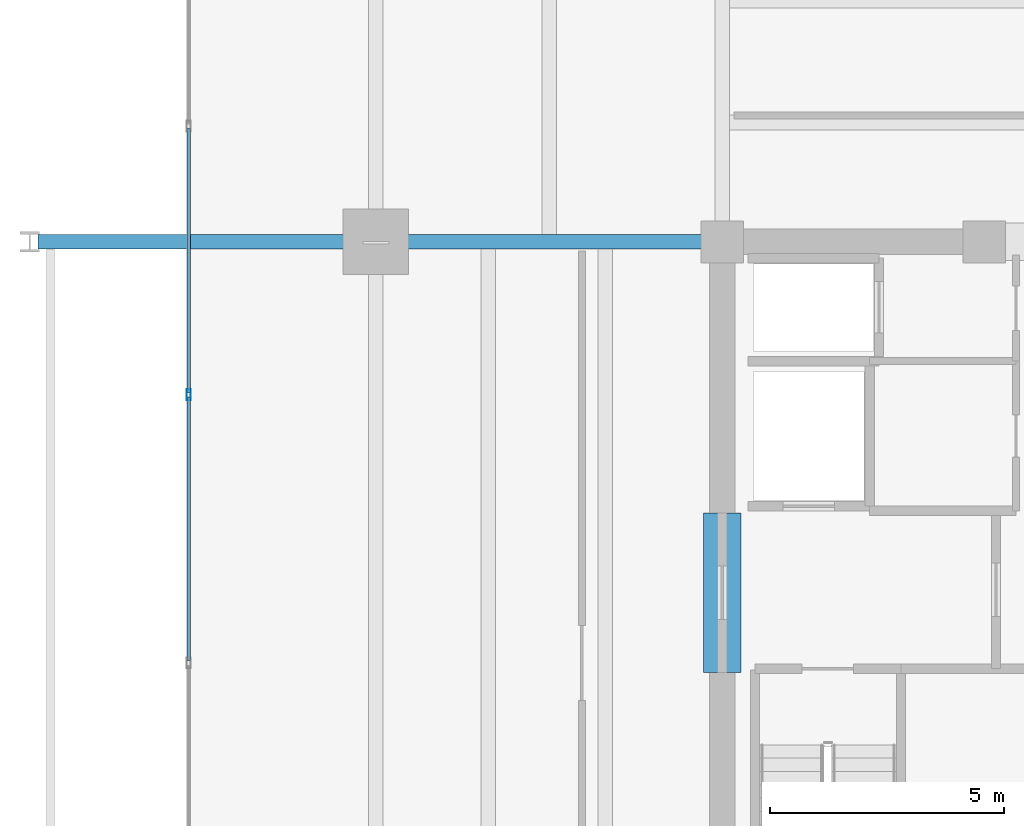
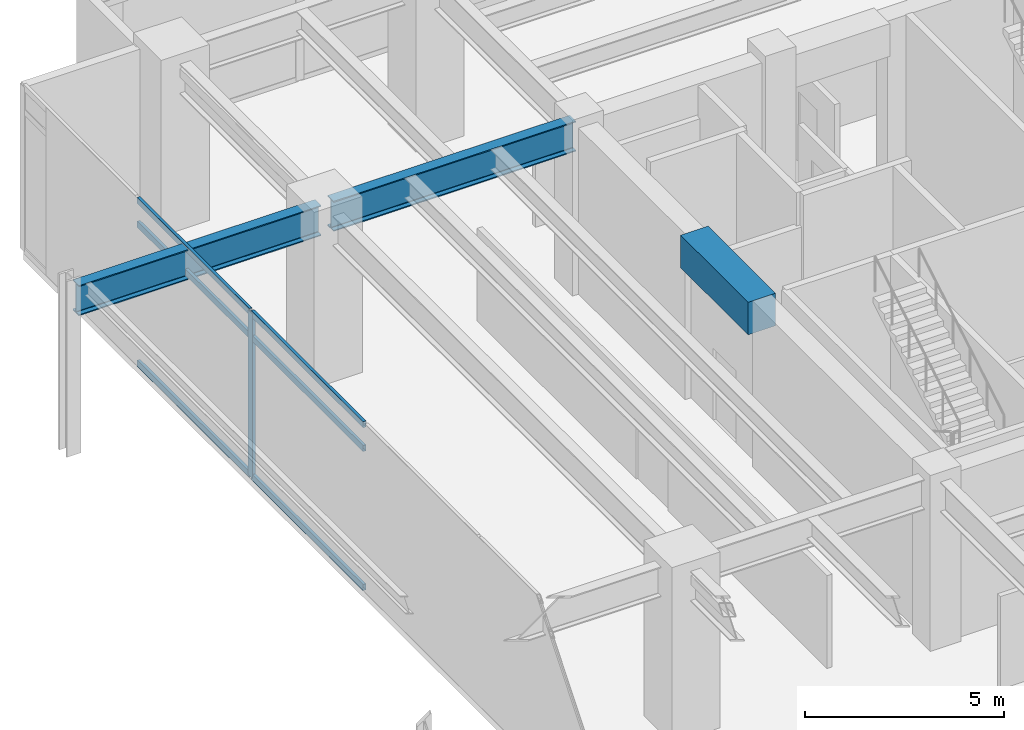
# One storey, part 7 of 24: 7 members, 3 beams, 1 element without a shape of its own.
"""IFC4 building model written with IfcOpenShell, lengths in metres."""

from ifc_helpers import new_model, si_unit, direction, frame, origin, origin_2d, place, context, subcontext, project, spatial, rectangle, hollow_rectangle, i_section, extrude, material, material_profile, profile_set, type_object, element, aggregate, save


model = new_model("IFC4")

# Units and contexts
model_context = context("Model", 3, precision=1e-05, world=origin(), true_north=direction((0.0, 1.0)))
body_context = subcontext(model_context, "Body", "Model", "MODEL_VIEW")
ifc_project = project(units=[si_unit("LENGTHUNIT", "METRE"), si_unit("AREAUNIT", "SQUARE_METRE"), si_unit("VOLUMEUNIT", "CUBIC_METRE"), si_unit("PLANEANGLEUNIT", "RADIAN"), si_unit("MASSUNIT", "GRAM", prefix="KILO")], contexts=[model_context])

# Site, building, storey
site_placement = place(None, origin())
site = spatial("IfcSite", under=ifc_project, at=site_placement, CompositionType="ELEMENT")
building_placement = place(site_placement, origin())
building = spatial("IfcBuilding", under=site, at=building_placement, Name="Kovane Verandah Tower", CompositionType="ELEMENT")
storey_placement = place(building_placement, frame((0.0, 0.0, 194.800048828125)))
storey = spatial("IfcBuildingStorey", under=building, at=storey_placement, Name="L45", CompositionType="ELEMENT", Elevation=194.800048828125)

# Beams
ifc_material_1 = material(Name="Concrete C60/75", Category="concrete")
ifc_material_profile_1 = material_profile(ifc_material_1, rectangle(XDim=0.800048828125, YDim=1.0, at=origin_2d()), Name="RCB800x1000")
ifc_profile_set_1 = profile_set([ifc_material_profile_1], Name="Concrete C60/75")
beam_type_1 = type_object("IfcBeamType", Name="BM-LINTEL-800x1000", PredefinedType="LINTEL", material=ifc_profile_set_1)
beam_placement = place(storey_placement, frame((29.0, 27.300048828125, 4.599853515625), z_axis=(0.0, 1.0, 0.0), x_axis=(-1.0, 0.0, 0.0)))
element("IfcBeam", 1, at=beam_placement, inside=storey, type_object=beam_type_1, Name="L45 Core Coupling Lintel CL-W", PredefinedType="LINTEL", context=body_context, shape_type="SweptSolid", body=[
    extrude(rectangle(XDim=0.800048828125, YDim=1.0, at=origin_2d()), origin(), (0.0, 0.0, 1.0), 3.39990234375),
])
ifc_material_2 = material(Name="Steel S460", Category="steel")
ifc_material_profile_2 = material_profile(ifc_material_2, i_section(OverallWidth=0.3076171875, OverallDepth=0.926513671875, WebThickness=0.01953125, FlangeThickness=0.031982421875, FilletRadius=0.01904296875, at=origin_2d()), Name="UB914x305x289")
ifc_profile_set_2 = profile_set([ifc_material_profile_2], Name="Steel S460")
beam_type_2 = type_object("IfcBeamType", Name="BM-UB914x289", PredefinedType="BEAM", material=ifc_profile_set_2)
for number, where, z_axis, x_axis, name in (
    (2, (28.820068359375, 36.5, 4.63671875), (-1.0, 0.0, 0.0), (0.0, -1.0, 0.0), "L45 Primary Tower Girder G-W2"),
    (3, (21.419921875, 36.5, 4.63671875), (-1.0, 0.0, 0.0), (0.0, -1.0, 0.0), "L45 Primary Tower Girder G-VW2"),
):
    element("IfcBeam", number, at=place(storey_placement, frame(where, z_axis=z_axis, x_axis=x_axis)), inside=storey, type_object=beam_type_2, Name=name, PredefinedType="BEAM", context=body_context, shape_type="SweptSolid", body=[
        extrude(i_section(OverallWidth=0.3076171875, OverallDepth=0.926513671875, WebThickness=0.01953125, FlangeThickness=0.031982421875, FilletRadius=0.01904296875, at=origin_2d()), origin(), (0.0, 0.0, 1.0), 7.0400390625),
    ])

# Curtain wall, members
ifc_material_3 = material(Name="Champagne Anodised Aluminium Frame with Low-E Clear Laminated Glass", Category="aluminium")
curtain_wall_type = type_object("IfcCurtainWallType", Name="CW-SYS-04-WAIST", PredefinedType="NOTDEFINED", material=ifc_material_3)
curtain_wall_placement = place(storey_placement, origin())
curtain_wall = element("IfcCurtainWall", 4, at=curtain_wall_placement, inside=storey, type_object=curtain_wall_type, Name="L45 W Unitised Curtain Wall", PredefinedType="NOTDEFINED")
ifc_material_4 = material(Name="Champagne Anodised Aluminium 6063-T6", Category="aluminium")
ifc_material_profile_3 = material_profile(ifc_material_4, hollow_rectangle(XDim=0.0849609375, YDim=0.22998046875, WallThickness=0.00390625, at=origin_2d()), Name="AL85x230x4")
ifc_profile_set_3 = profile_set([ifc_material_profile_3], Name="Champagne Anodised Aluminium 6063-T6")
member_type_1 = type_object("IfcMemberType", Name="CW-MUL-85x230", PredefinedType="MULLION", material=ifc_profile_set_3)
member_1_placement = place(storey_placement, frame((17.60009765625, 33.2333984375, 0.02001953125), z_axis=(0.0, 0.0, 1.0), x_axis=(-1.0, 0.0, 0.0)))
member_1 = element("IfcMember", 5, at=member_1_placement, type_object=member_type_1, Name="L45 W Unitised Curtain Wall Mullion 3", PredefinedType="MULLION", context=body_context, shape_type="SweptSolid", body=[
    extrude(hollow_rectangle(XDim=0.0849609375, YDim=0.22998046875, WallThickness=0.00390625, at=origin_2d()), origin(), (0.0, 0.0, 1.0), 5.059814453125),
])
ifc_material_profile_4 = material_profile(ifc_material_4, hollow_rectangle(XDim=0.0849609375, YDim=0.18994140625, WallThickness=0.00390625, at=origin_2d()), Name="AL85x190x4")
ifc_profile_set_4 = profile_set([ifc_material_profile_4], Name="Champagne Anodised Aluminium 6063-T6")
member_type_2 = type_object("IfcMemberType", Name="CW-TRN-85x190", PredefinedType="USERDEFINED", material=ifc_profile_set_4)
member_2_placement = place(storey_placement, frame((17.60009765625, 38.916748046875, 0.050048828125), z_axis=(0.0, -1.0, 0.0), x_axis=(1.0, 0.0, 0.0)))
member_2 = element("IfcMember", 6, at=member_2_placement, type_object=member_type_2, Name="L45 W Unitised Curtain Wall Transom TB Bay 2", ObjectType="TRANSOM", PredefinedType="USERDEFINED", context=body_context, shape_type="SweptSolid", body=[
    extrude(hollow_rectangle(XDim=0.0849609375, YDim=0.18994140625, WallThickness=0.00390625, at=origin_2d()), origin(), (0.0, 0.0, 1.0), 5.633544921875),
])
member_3_placement = place(storey_placement, frame((17.60009765625, 38.916748046875, 4.320068359375), z_axis=(0.0, -1.0, 0.0), x_axis=(1.0, 0.0, 0.0)))
member_3 = element("IfcMember", 7, at=member_3_placement, type_object=member_type_2, Name="L45 W Unitised Curtain Wall Transom TM Bay 2", ObjectType="TRANSOM", PredefinedType="USERDEFINED", context=body_context, shape_type="SweptSolid", body=[
    extrude(hollow_rectangle(XDim=0.0849609375, YDim=0.18994140625, WallThickness=0.00390625, at=origin_2d()), origin(), (0.0, 0.0, 1.0), 5.633544921875),
])
member_4_placement = place(storey_placement, frame((17.60009765625, 38.916748046875, 5.050048828125), z_axis=(0.0, -1.0, 0.0), x_axis=(1.0, 0.0, 0.0)))
member_4 = element("IfcMember", 8, at=member_4_placement, type_object=member_type_2, Name="L45 W Unitised Curtain Wall Transom TT Bay 2", ObjectType="TRANSOM", PredefinedType="USERDEFINED", context=body_context, shape_type="SweptSolid", body=[
    extrude(hollow_rectangle(XDim=0.0849609375, YDim=0.18994140625, WallThickness=0.00390625, at=origin_2d()), origin(), (0.0, 0.0, 1.0), 5.633544921875),
])
member_5_placement = place(storey_placement, frame((17.60009765625, 33.183349609375, 0.050048828125), z_axis=(0.0, -1.0, 0.0), x_axis=(1.0, 0.0, 0.0)))
member_5 = element("IfcMember", 9, at=member_5_placement, type_object=member_type_2, Name="L45 W Unitised Curtain Wall Transom TB Bay 3", ObjectType="TRANSOM", PredefinedType="USERDEFINED", context=body_context, shape_type="SweptSolid", body=[
    extrude(hollow_rectangle(XDim=0.0849609375, YDim=0.18994140625, WallThickness=0.00390625, at=origin_2d()), origin(), (0.0, 0.0, 1.0), 5.63330078125),
])
member_6_placement = place(storey_placement, frame((17.60009765625, 33.183349609375, 4.320068359375), z_axis=(0.0, -1.0, 0.0), x_axis=(1.0, 0.0, 0.0)))
member_6 = element("IfcMember", 10, at=member_6_placement, type_object=member_type_2, Name="L45 W Unitised Curtain Wall Transom TM Bay 3", ObjectType="TRANSOM", PredefinedType="USERDEFINED", context=body_context, shape_type="SweptSolid", body=[
    extrude(hollow_rectangle(XDim=0.0849609375, YDim=0.18994140625, WallThickness=0.00390625, at=origin_2d()), origin(), (0.0, 0.0, 1.0), 5.63330078125),
])
member_7_placement = place(storey_placement, frame((17.60009765625, 33.183349609375, 5.050048828125), z_axis=(0.0, -1.0, 0.0), x_axis=(1.0, 0.0, 0.0)))
member_7 = element("IfcMember", 11, at=member_7_placement, type_object=member_type_2, Name="L45 W Unitised Curtain Wall Transom TT Bay 3", ObjectType="TRANSOM", PredefinedType="USERDEFINED", context=body_context, shape_type="SweptSolid", body=[
    extrude(hollow_rectangle(XDim=0.0849609375, YDim=0.18994140625, WallThickness=0.00390625, at=origin_2d()), origin(), (0.0, 0.0, 1.0), 5.63330078125),
])
aggregate(curtain_wall, [member_1, member_2, member_3, member_4, member_5, member_6, member_7])

save(model, "model.ifc")
